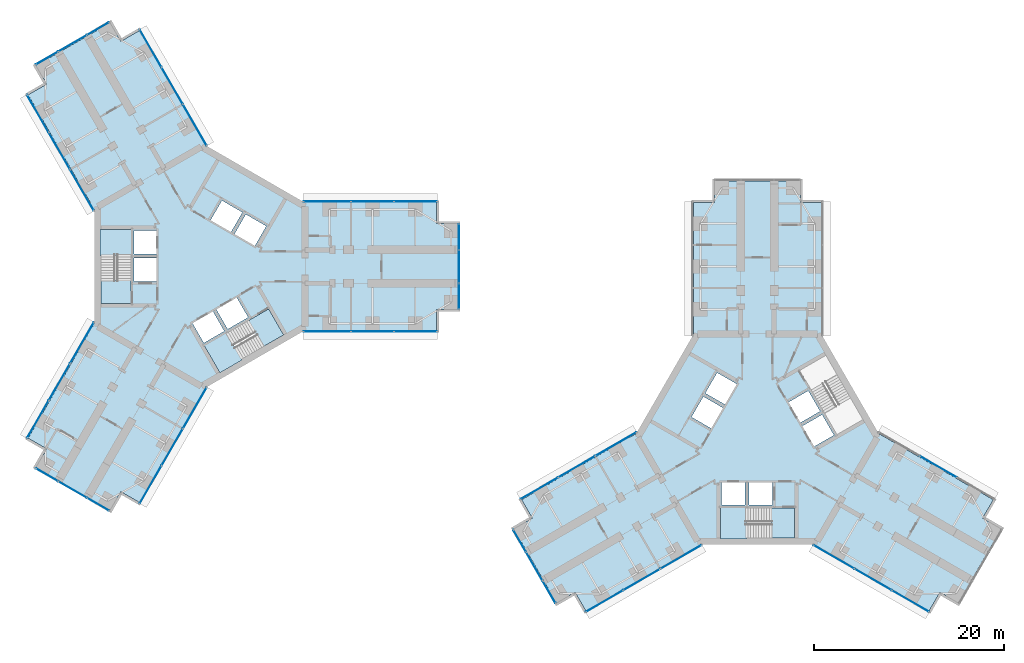
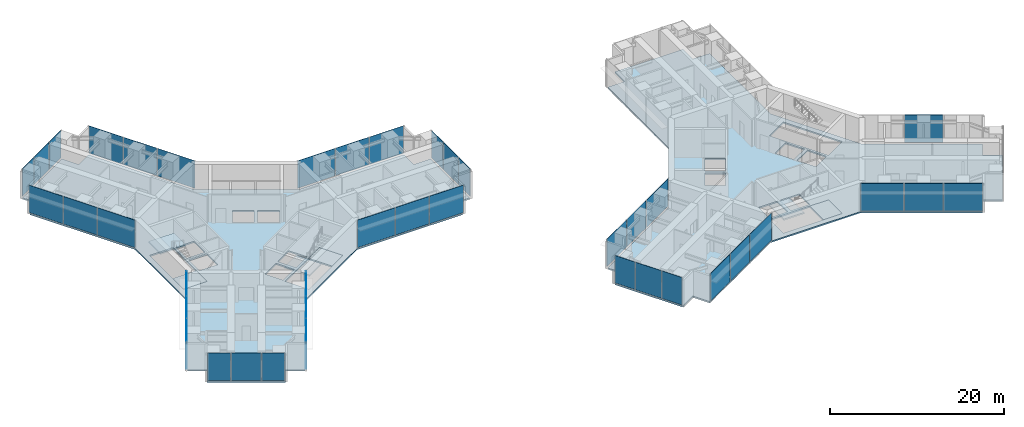
# One storey, part 14 of 23: 40 plates, 8 slabs, 17 elements without a shape of their own.
"""IFC4 building model written with IfcOpenShell, lengths in metres."""

from ifc_helpers import new_model, si_unit, direction, frame, origin, origin_2d, place, context, subcontext, project, spatial, polyline, rectangle, outline, extrude, material, layer, layer_set, type_object, element, aggregate, save


model = new_model("IFC4")

# Units and contexts
model_context = context("Model", 3, precision=1e-05, world=origin(), true_north=direction((0.0, 1.0)))
body_context = subcontext(model_context, "Body", "Model", "MODEL_VIEW")
ifc_project = project(units=[si_unit("LENGTHUNIT", "METRE"), si_unit("AREAUNIT", "SQUARE_METRE"), si_unit("VOLUMEUNIT", "CUBIC_METRE"), si_unit("PLANEANGLEUNIT", "RADIAN"), si_unit("MASSUNIT", "GRAM", prefix="KILO")], contexts=[model_context])

# Site, building, storey
site_placement = place(None, origin())
site = spatial("IfcSite", under=ifc_project, at=site_placement, CompositionType="ELEMENT")
building_placement = place(site_placement, origin())
building = spatial("IfcBuilding", under=site, at=building_placement, Name="Upepo Twin Towers", CompositionType="ELEMENT")
storey_placement = place(building_placement, frame((0.0, 0.0, 28.5)))
storey = spatial("IfcBuildingStorey", under=building, at=storey_placement, Name="L06", CompositionType="ELEMENT", Elevation=28.5)

# Curtain wall, plates
ifc_material_1 = material(Name="Aluminium and fritted glass", Category="aluminium")
curtain_wall_type = type_object("IfcCurtainWallType", Name="Tower curtain wall TW1, fritted glass", PredefinedType="NOTDEFINED", material=ifc_material_1)
curtain_wall_1_placement = place(storey_placement, origin())
curtain_wall_1 = element("IfcCurtainWall", 1, at=curtain_wall_1_placement, inside=storey, type_object=curtain_wall_type, Name="T1 L06 wing A flank L curtain wall", PredefinedType="NOTDEFINED")
ifc_material_2 = material(Name="Ceramic-fritted laminated glass", Category="glass")
ifc_layer_1 = layer(ifc_material_2, 0.031982421875)
ifc_layer_set_1 = layer_set([ifc_layer_1], Name="Fritted glass panel, 20 per cent dot frit, 32 mm double glazed")
plate_type_1 = type_object("IfcPlateType", Name="Fritted glass panel, 20 per cent dot frit, 32 mm double glazed", PredefinedType="CURTAIN_PANEL", material=ifc_layer_set_1)
plate_1_placement = place(storey_placement, frame((13.23486328125, 6.85009765625, 0.14990234375), z_axis=(0.0, 0.0, 1.0), x_axis=(1.0, 0.0, 0.0)))
plate_1 = element("IfcPlate", 2, at=plate_1_placement, type_object=plate_type_1, Name="T1 L06 wing A flank L curtain wall panel 1", PredefinedType="CURTAIN_PANEL", context=body_context, shape_type="SweptSolid", body=[
    extrude(rectangle(XDim=4.96533203125, YDim=0.031982421875, at=origin_2d()), origin(), (0.0, 0.0, 1.0), 3.85009765625),
])
plate_2_placement = place(storey_placement, frame((18.0, 6.85009765625, 0.14990234375), z_axis=(0.0, 0.0, 1.0), x_axis=(1.0, 0.0, 0.0)))
plate_2 = element("IfcPlate", 3, at=plate_2_placement, type_object=plate_type_1, Name="T1 L06 wing A flank L curtain wall panel 2", PredefinedType="CURTAIN_PANEL", context=body_context, shape_type="SweptSolid", body=[
    extrude(rectangle(XDim=4.43505859375, YDim=0.031982421875, at=origin_2d()), origin(), (0.0, 0.0, 1.0), 3.85009765625),
])
plate_3_placement = place(storey_placement, frame((22.53369140625, 6.85009765625, 0.14990234375), z_axis=(0.0, 0.0, 1.0), x_axis=(1.0, 0.0, 0.0)))
plate_3 = element("IfcPlate", 4, at=plate_3_placement, type_object=plate_type_1, Name="T1 L06 wing A flank L curtain wall panel 3", PredefinedType="CURTAIN_PANEL", context=body_context, shape_type="SweptSolid", body=[
    extrude(rectangle(XDim=4.50244140625, YDim=0.031982421875, at=origin_2d()), origin(), (0.0, 0.0, 1.0), 3.85009765625),
])
aggregate(curtain_wall_1, [plate_1, plate_2, plate_3])

curtain_wall_2_placement = place(storey_placement, origin())
curtain_wall_2 = element("IfcCurtainWall", 5, at=curtain_wall_2_placement, inside=storey, type_object=curtain_wall_type, Name="T1 L06 wing A flank R curtain wall", PredefinedType="NOTDEFINED")
plate_4_placement = place(storey_placement, frame((22.53369140625, -6.85009765625, 0.14990234375), z_axis=(0.0, 0.0, 1.0), x_axis=(-1.0, 0.0, 0.0)))
plate_4 = element("IfcPlate", 6, at=plate_4_placement, type_object=plate_type_1, Name="T1 L06 wing A flank R curtain wall panel 1", PredefinedType="CURTAIN_PANEL", context=body_context, shape_type="SweptSolid", body=[
    extrude(rectangle(XDim=4.50244140625, YDim=0.031982421875, at=origin_2d()), origin(), (0.0, 0.0, 1.0), 3.85009765625),
])
plate_5_placement = place(storey_placement, frame((18.0, -6.85009765625, 0.14990234375), z_axis=(0.0, 0.0, 1.0), x_axis=(-1.0, 0.0, 0.0)))
plate_5 = element("IfcPlate", 7, at=plate_5_placement, type_object=plate_type_1, Name="T1 L06 wing A flank R curtain wall panel 2", PredefinedType="CURTAIN_PANEL", context=body_context, shape_type="SweptSolid", body=[
    extrude(rectangle(XDim=4.43505859375, YDim=0.031982421875, at=origin_2d()), origin(), (0.0, 0.0, 1.0), 3.85009765625),
])
plate_6_placement = place(storey_placement, frame((13.23486328125, -6.85009765625, 0.14990234375), z_axis=(0.0, 0.0, 1.0), x_axis=(-1.0, 0.0, 0.0)))
plate_6 = element("IfcPlate", 8, at=plate_6_placement, type_object=plate_type_1, Name="T1 L06 wing A flank R curtain wall panel 3", PredefinedType="CURTAIN_PANEL", context=body_context, shape_type="SweptSolid", body=[
    extrude(rectangle(XDim=4.96533203125, YDim=0.031982421875, at=origin_2d()), origin(), (0.0, 0.0, 1.0), 3.85009765625),
])
aggregate(curtain_wall_2, [plate_4, plate_5, plate_6])

# Curtain wall, plate
curtain_wall_3_placement = place(storey_placement, origin())
curtain_wall_3 = element("IfcCurtainWall", 9, at=curtain_wall_3_placement, inside=storey, type_object=curtain_wall_type, Name="T1 L06 wing A nose curtain wall", PredefinedType="NOTDEFINED")
plate_7_placement = place(storey_placement, frame((27.10009765625, 0.0, 0.14990234375), z_axis=(0.0, 0.0, 1.0), x_axis=(0.0, 1.0, 0.0)))
plate_7 = element("IfcPlate", 10, at=plate_7_placement, type_object=plate_type_1, Name="T1 L06 wing A nose curtain wall panel 2", PredefinedType="CURTAIN_PANEL", context=body_context, shape_type="SweptSolid", body=[
    extrude(rectangle(XDim=3.43505859375, YDim=0.031982421875, at=origin_2d()), origin(), (0.0, 0.0, 1.0), 3.85009765625),
])

# Curtain wall, plates
curtain_wall_4_placement = place(storey_placement, origin())
curtain_wall_4 = element("IfcCurtainWall", 11, at=curtain_wall_4_placement, inside=storey, type_object=curtain_wall_type, Name="T1 L06 wing B flank L curtain wall", PredefinedType="NOTDEFINED")
plate_8_placement = place(storey_placement, frame((-12.549560546875, 8.03662109375, 0.14990234375), z_axis=(0.0, 0.0, 1.0), x_axis=(-0.500000024426, 0.866025389682, 0.0)))
plate_8 = element("IfcPlate", 12, at=plate_8_placement, type_object=plate_type_1, Name="T1 L06 wing B flank L curtain wall panel 1", PredefinedType="CURTAIN_PANEL", context=body_context, shape_type="SweptSolid", body=[
    extrude(rectangle(XDim=4.96533203125, YDim=0.031982421875, at=origin_2d()), origin(), (0.0, 0.0, 1.0), 3.85009765625),
])
plate_9_placement = place(storey_placement, frame((-14.932373046875, 12.16357421875, 0.14990234375), z_axis=(0.0, 0.0, 1.0), x_axis=(-0.500000024426, 0.866025389682, 0.0)))
plate_9 = element("IfcPlate", 13, at=plate_9_placement, type_object=plate_type_1, Name="T1 L06 wing B flank L curtain wall panel 2", PredefinedType="CURTAIN_PANEL", context=body_context, shape_type="SweptSolid", body=[
    extrude(rectangle(XDim=4.43505859375, YDim=0.031982421875, at=origin_2d()), origin(), (0.0, 0.0, 1.0), 3.85009765625),
])
plate_10_placement = place(storey_placement, frame((-17.19921875, 16.08984375, 0.14990234375), z_axis=(0.0, 0.0, 1.0), x_axis=(-0.500000024426, 0.866025389682, 0.0)))
plate_10 = element("IfcPlate", 14, at=plate_10_placement, type_object=plate_type_1, Name="T1 L06 wing B flank L curtain wall panel 3", PredefinedType="CURTAIN_PANEL", context=body_context, shape_type="SweptSolid", body=[
    extrude(rectangle(XDim=4.50244140625, YDim=0.031982421875, at=origin_2d()), origin(), (0.0, 0.0, 1.0), 3.85009765625),
])
aggregate(curtain_wall_4, [plate_8, plate_9, plate_10])

curtain_wall_5_placement = place(storey_placement, origin())
curtain_wall_5 = element("IfcCurtainWall", 15, at=curtain_wall_5_placement, inside=storey, type_object=curtain_wall_type, Name="T1 L06 wing B flank R curtain wall", PredefinedType="NOTDEFINED")
plate_11_placement = place(storey_placement, frame((-5.334716796875, 22.939697265625, 0.14990234375), z_axis=(0.0, 0.0, 1.0), x_axis=(0.500000024426, -0.866025389682, 0.0)))
plate_11 = element("IfcPlate", 16, at=plate_11_placement, type_object=plate_type_1, Name="T1 L06 wing B flank R curtain wall panel 1", PredefinedType="CURTAIN_PANEL", context=body_context, shape_type="SweptSolid", body=[
    extrude(rectangle(XDim=4.50244140625, YDim=0.031982421875, at=origin_2d()), origin(), (0.0, 0.0, 1.0), 3.85009765625),
])
plate_12_placement = place(storey_placement, frame((-3.067626953125, 19.013427734375, 0.14990234375), z_axis=(0.0, 0.0, 1.0), x_axis=(0.500000024426, -0.866025389682, 0.0)))
plate_12 = element("IfcPlate", 17, at=plate_12_placement, type_object=plate_type_1, Name="T1 L06 wing B flank R curtain wall panel 2", PredefinedType="CURTAIN_PANEL", context=body_context, shape_type="SweptSolid", body=[
    extrude(rectangle(XDim=4.43505859375, YDim=0.031982421875, at=origin_2d()), origin(), (0.0, 0.0, 1.0), 3.85009765625),
])
plate_13_placement = place(storey_placement, frame((-0.68505859375, 14.88671875, 0.14990234375), z_axis=(0.0, 0.0, 1.0), x_axis=(0.500000024426, -0.866025389682, 0.0)))
plate_13 = element("IfcPlate", 18, at=plate_13_placement, type_object=plate_type_1, Name="T1 L06 wing B flank R curtain wall panel 3", PredefinedType="CURTAIN_PANEL", context=body_context, shape_type="SweptSolid", body=[
    extrude(rectangle(XDim=4.96533203125, YDim=0.031982421875, at=origin_2d()), origin(), (0.0, 0.0, 1.0), 3.85009765625),
])
aggregate(curtain_wall_5, [plate_11, plate_12, plate_13])

# Curtain wall, plate
curtain_wall_6_placement = place(storey_placement, origin())
curtain_wall_6 = element("IfcCurtainWall", 19, at=curtain_wall_6_placement, inside=storey, type_object=curtain_wall_type, Name="T1 L06 wing B nose curtain wall", PredefinedType="NOTDEFINED")
plate_14_placement = place(storey_placement, frame((-13.550048828125, 23.46923828125, 0.14990234375), z_axis=(0.0, 0.0, 1.0), x_axis=(-0.866025386174, -0.500000030502, 0.0)))
plate_14 = element("IfcPlate", 20, at=plate_14_placement, type_object=plate_type_1, Name="T1 L06 wing B nose curtain wall panel 2", PredefinedType="CURTAIN_PANEL", context=body_context, shape_type="SweptSolid", body=[
    extrude(rectangle(XDim=3.43505859375, YDim=0.031982421875, at=origin_2d()), origin(), (0.0, 0.0, 1.0), 3.85009765625),
])

# Curtain wall, plates
curtain_wall_7_placement = place(storey_placement, origin())
curtain_wall_7 = element("IfcCurtainWall", 21, at=curtain_wall_7_placement, inside=storey, type_object=curtain_wall_type, Name="T1 L06 wing C flank L curtain wall", PredefinedType="NOTDEFINED")
plate_15_placement = place(storey_placement, frame((-0.68505859375, -14.88671875, 0.14990234375), z_axis=(0.0, 0.0, 1.0), x_axis=(-0.500000024426, -0.866025389682, 0.0)))
plate_15 = element("IfcPlate", 22, at=plate_15_placement, type_object=plate_type_1, Name="T1 L06 wing C flank L curtain wall panel 1", PredefinedType="CURTAIN_PANEL", context=body_context, shape_type="SweptSolid", body=[
    extrude(rectangle(XDim=4.96533203125, YDim=0.031982421875, at=origin_2d()), origin(), (0.0, 0.0, 1.0), 3.85009765625),
])
plate_16_placement = place(storey_placement, frame((-3.067626953125, -19.013427734375, 0.14990234375), z_axis=(0.0, 0.0, 1.0), x_axis=(-0.500000024426, -0.866025389682, 0.0)))
plate_16 = element("IfcPlate", 23, at=plate_16_placement, type_object=plate_type_1, Name="T1 L06 wing C flank L curtain wall panel 2", PredefinedType="CURTAIN_PANEL", context=body_context, shape_type="SweptSolid", body=[
    extrude(rectangle(XDim=4.43505859375, YDim=0.031982421875, at=origin_2d()), origin(), (0.0, 0.0, 1.0), 3.85009765625),
])
plate_17_placement = place(storey_placement, frame((-5.334716796875, -22.939697265625, 0.14990234375), z_axis=(0.0, 0.0, 1.0), x_axis=(-0.500000024426, -0.866025389682, 0.0)))
plate_17 = element("IfcPlate", 24, at=plate_17_placement, type_object=plate_type_1, Name="T1 L06 wing C flank L curtain wall panel 3", PredefinedType="CURTAIN_PANEL", context=body_context, shape_type="SweptSolid", body=[
    extrude(rectangle(XDim=4.50244140625, YDim=0.031982421875, at=origin_2d()), origin(), (0.0, 0.0, 1.0), 3.85009765625),
])
aggregate(curtain_wall_7, [plate_15, plate_16, plate_17])

curtain_wall_8_placement = place(storey_placement, origin())
curtain_wall_8 = element("IfcCurtainWall", 25, at=curtain_wall_8_placement, inside=storey, type_object=curtain_wall_type, Name="T1 L06 wing C flank R curtain wall", PredefinedType="NOTDEFINED")
plate_18_placement = place(storey_placement, frame((-17.19921875, -16.08984375, 0.14990234375), z_axis=(0.0, 0.0, 1.0), x_axis=(0.500000024426, 0.866025389682, 0.0)))
plate_18 = element("IfcPlate", 26, at=plate_18_placement, type_object=plate_type_1, Name="T1 L06 wing C flank R curtain wall panel 1", PredefinedType="CURTAIN_PANEL", context=body_context, shape_type="SweptSolid", body=[
    extrude(rectangle(XDim=4.50244140625, YDim=0.031982421875, at=origin_2d()), origin(), (0.0, 0.0, 1.0), 3.85009765625),
])
plate_19_placement = place(storey_placement, frame((-14.932373046875, -12.16357421875, 0.14990234375), z_axis=(0.0, 0.0, 1.0), x_axis=(0.500000024426, 0.866025389682, 0.0)))
plate_19 = element("IfcPlate", 27, at=plate_19_placement, type_object=plate_type_1, Name="T1 L06 wing C flank R curtain wall panel 2", PredefinedType="CURTAIN_PANEL", context=body_context, shape_type="SweptSolid", body=[
    extrude(rectangle(XDim=4.43505859375, YDim=0.031982421875, at=origin_2d()), origin(), (0.0, 0.0, 1.0), 3.85009765625),
])
plate_20_placement = place(storey_placement, frame((-12.549560546875, -8.03662109375, 0.14990234375), z_axis=(0.0, 0.0, 1.0), x_axis=(0.500000024426, 0.866025389682, 0.0)))
plate_20 = element("IfcPlate", 28, at=plate_20_placement, type_object=plate_type_1, Name="T1 L06 wing C flank R curtain wall panel 3", PredefinedType="CURTAIN_PANEL", context=body_context, shape_type="SweptSolid", body=[
    extrude(rectangle(XDim=4.96533203125, YDim=0.031982421875, at=origin_2d()), origin(), (0.0, 0.0, 1.0), 3.85009765625),
])
aggregate(curtain_wall_8, [plate_18, plate_19, plate_20])

# Curtain wall, plate
curtain_wall_9_placement = place(storey_placement, origin())
curtain_wall_9 = element("IfcCurtainWall", 29, at=curtain_wall_9_placement, inside=storey, type_object=curtain_wall_type, Name="T1 L06 wing C nose curtain wall", PredefinedType="NOTDEFINED")
plate_21_placement = place(storey_placement, frame((-13.550048828125, -23.46923828125, 0.14990234375), z_axis=(0.0, 0.0, 1.0), x_axis=(0.866025386174, -0.500000030502, 0.0)))
plate_21 = element("IfcPlate", 30, at=plate_21_placement, type_object=plate_type_1, Name="T1 L06 wing C nose curtain wall panel 2", PredefinedType="CURTAIN_PANEL", context=body_context, shape_type="SweptSolid", body=[
    extrude(rectangle(XDim=3.43505859375, YDim=0.031982421875, at=origin_2d()), origin(), (0.0, 0.0, 1.0), 3.85009765625),
])

# Curtain wall, plates
curtain_wall_10_placement = place(storey_placement, origin())
curtain_wall_10 = element("IfcCurtainWall", 31, at=curtain_wall_10_placement, inside=storey, type_object=curtain_wall_type, Name="T2 L06 wing B flank L curtain wall", PredefinedType="NOTDEFINED")
plate_22_placement = place(storey_placement, frame((50.46337890625, -30.549560546875, 0.14990234375), z_axis=(0.0, 0.0, 1.0), x_axis=(-0.866025389682, -0.500000024426, 0.0)))
plate_22 = element("IfcPlate", 32, at=plate_22_placement, type_object=plate_type_1, Name="T2 L06 wing B flank L curtain wall panel 1", PredefinedType="CURTAIN_PANEL", context=body_context, shape_type="SweptSolid", body=[
    extrude(rectangle(XDim=4.96533203125, YDim=0.031982421875, at=origin_2d()), origin(), (0.0, 0.0, 1.0), 3.85009765625),
])
plate_23_placement = place(storey_placement, frame((46.33642578125, -32.932373046875, 0.14990234375), z_axis=(0.0, 0.0, 1.0), x_axis=(-0.866025389682, -0.500000024426, 0.0)))
plate_23 = element("IfcPlate", 33, at=plate_23_placement, type_object=plate_type_1, Name="T2 L06 wing B flank L curtain wall panel 2", PredefinedType="CURTAIN_PANEL", context=body_context, shape_type="SweptSolid", body=[
    extrude(rectangle(XDim=4.43505859375, YDim=0.031982421875, at=origin_2d()), origin(), (0.0, 0.0, 1.0), 3.85009765625),
])
plate_24_placement = place(storey_placement, frame((42.41015625, -35.19921875, 0.14990234375), z_axis=(0.0, 0.0, 1.0), x_axis=(-0.866025389682, -0.500000024426, 0.0)))
plate_24 = element("IfcPlate", 34, at=plate_24_placement, type_object=plate_type_1, Name="T2 L06 wing B flank L curtain wall panel 3", PredefinedType="CURTAIN_PANEL", context=body_context, shape_type="SweptSolid", body=[
    extrude(rectangle(XDim=4.50244140625, YDim=0.031982421875, at=origin_2d()), origin(), (0.0, 0.0, 1.0), 3.85009765625),
])
aggregate(curtain_wall_10, [plate_22, plate_23, plate_24])

curtain_wall_11_placement = place(storey_placement, origin())
curtain_wall_11 = element("IfcCurtainWall", 35, at=curtain_wall_11_placement, inside=storey, type_object=curtain_wall_type, Name="T2 L06 wing B flank R curtain wall", PredefinedType="NOTDEFINED")
plate_25_placement = place(storey_placement, frame((35.560302734375, -23.334716796875, 0.14990234375), z_axis=(0.0, 0.0, 1.0), x_axis=(0.866025389682, 0.500000024426, 0.0)))
plate_25 = element("IfcPlate", 36, at=plate_25_placement, type_object=plate_type_1, Name="T2 L06 wing B flank R curtain wall panel 1", PredefinedType="CURTAIN_PANEL", context=body_context, shape_type="SweptSolid", body=[
    extrude(rectangle(XDim=4.50244140625, YDim=0.031982421875, at=origin_2d()), origin(), (0.0, 0.0, 1.0), 3.85009765625),
])
plate_26_placement = place(storey_placement, frame((39.486572265625, -21.067626953125, 0.14990234375), z_axis=(0.0, 0.0, 1.0), x_axis=(0.866025389682, 0.500000024426, 0.0)))
plate_26 = element("IfcPlate", 37, at=plate_26_placement, type_object=plate_type_1, Name="T2 L06 wing B flank R curtain wall panel 2", PredefinedType="CURTAIN_PANEL", context=body_context, shape_type="SweptSolid", body=[
    extrude(rectangle(XDim=4.43505859375, YDim=0.031982421875, at=origin_2d()), origin(), (0.0, 0.0, 1.0), 3.85009765625),
])
plate_27_placement = place(storey_placement, frame((43.61328125, -18.68505859375, 0.14990234375), z_axis=(0.0, 0.0, 1.0), x_axis=(0.866025389682, 0.500000024426, 0.0)))
plate_27 = element("IfcPlate", 38, at=plate_27_placement, type_object=plate_type_1, Name="T2 L06 wing B flank R curtain wall panel 3", PredefinedType="CURTAIN_PANEL", context=body_context, shape_type="SweptSolid", body=[
    extrude(rectangle(XDim=4.96533203125, YDim=0.031982421875, at=origin_2d()), origin(), (0.0, 0.0, 1.0), 3.85009765625),
])
aggregate(curtain_wall_11, [plate_25, plate_26, plate_27])

# Curtain wall, plate
curtain_wall_12_placement = place(storey_placement, origin())
curtain_wall_12 = element("IfcCurtainWall", 39, at=curtain_wall_12_placement, inside=storey, type_object=curtain_wall_type, Name="T2 L06 wing B nose curtain wall", PredefinedType="NOTDEFINED")
plate_28_placement = place(storey_placement, frame((35.03076171875, -31.550048828125, 0.14990234375), z_axis=(0.0, 0.0, 1.0), x_axis=(0.500000030502, -0.866025386174, 0.0)))
plate_28 = element("IfcPlate", 40, at=plate_28_placement, type_object=plate_type_1, Name="T2 L06 wing B nose curtain wall panel 2", PredefinedType="CURTAIN_PANEL", context=body_context, shape_type="SweptSolid", body=[
    extrude(rectangle(XDim=3.43505859375, YDim=0.031982421875, at=origin_2d()), origin(), (0.0, 0.0, 1.0), 3.85009765625),
])

curtain_wall_13_placement = place(storey_placement, origin())
curtain_wall_13 = element("IfcCurtainWall", 41, at=curtain_wall_13_placement, inside=storey, type_object=curtain_wall_type, Name="T2 L06 wing C flank L curtain wall", PredefinedType="NOTDEFINED")
plate_29_placement = place(storey_placement, frame((77.513427734375, -21.067626953125, 0.14990234375), z_axis=(0.0, 0.0, 1.0), x_axis=(0.866025389682, -0.500000024426, 0.0)))
plate_29 = element("IfcPlate", 42, at=plate_29_placement, type_object=plate_type_1, Name="T2 L06 wing C flank L curtain wall panel 2", PredefinedType="CURTAIN_PANEL", context=body_context, shape_type="SweptSolid", body=[
    extrude(rectangle(XDim=4.43505859375, YDim=0.031982421875, at=origin_2d()), origin(), (0.0, 0.0, 1.0), 3.85009765625),
])
aggregate(curtain_wall_13, [plate_29])

# Curtain wall, plates
curtain_wall_14_placement = place(storey_placement, origin())
curtain_wall_14 = element("IfcCurtainWall", 43, at=curtain_wall_14_placement, inside=storey, type_object=curtain_wall_type, Name="T2 L06 wing C flank R curtain wall", PredefinedType="NOTDEFINED")
plate_30_placement = place(storey_placement, frame((74.58984375, -35.19921875, 0.14990234375), z_axis=(0.0, 0.0, 1.0), x_axis=(-0.866025389682, 0.500000024426, 0.0)))
plate_30 = element("IfcPlate", 44, at=plate_30_placement, type_object=plate_type_1, Name="T2 L06 wing C flank R curtain wall panel 1", PredefinedType="CURTAIN_PANEL", context=body_context, shape_type="SweptSolid", body=[
    extrude(rectangle(XDim=4.50244140625, YDim=0.031982421875, at=origin_2d()), origin(), (0.0, 0.0, 1.0), 3.85009765625),
])
plate_31_placement = place(storey_placement, frame((70.66357421875, -32.932373046875, 0.14990234375), z_axis=(0.0, 0.0, 1.0), x_axis=(-0.866025389682, 0.500000024426, 0.0)))
plate_31 = element("IfcPlate", 45, at=plate_31_placement, type_object=plate_type_1, Name="T2 L06 wing C flank R curtain wall panel 2", PredefinedType="CURTAIN_PANEL", context=body_context, shape_type="SweptSolid", body=[
    extrude(rectangle(XDim=4.43505859375, YDim=0.031982421875, at=origin_2d()), origin(), (0.0, 0.0, 1.0), 3.85009765625),
])
plate_32_placement = place(storey_placement, frame((66.53662109375, -30.549560546875, 0.14990234375), z_axis=(0.0, 0.0, 1.0), x_axis=(-0.866025389682, 0.500000024426, 0.0)))
plate_32 = element("IfcPlate", 46, at=plate_32_placement, type_object=plate_type_1, Name="T2 L06 wing C flank R curtain wall panel 3", PredefinedType="CURTAIN_PANEL", context=body_context, shape_type="SweptSolid", body=[
    extrude(rectangle(XDim=4.96533203125, YDim=0.031982421875, at=origin_2d()), origin(), (0.0, 0.0, 1.0), 3.85009765625),
])
aggregate(curtain_wall_14, [plate_30, plate_31, plate_32])

# Plate
ifc_material_3 = material(Name="Clear laminated glass in opening sash", Category="glass")
ifc_layer_2 = layer(ifc_material_3, 0.031982421875)
ifc_layer_set_2 = layer_set([ifc_layer_2], Name="Operable glass panel, 32 mm double glazed")
plate_type_2 = type_object("IfcPlateType", Name="Operable glass panel, 32 mm double glazed", PredefinedType="CURTAIN_PANEL", material=ifc_layer_set_2)
plate_33_placement = place(storey_placement, frame((27.10009765625, -3.108642578125, 0.14990234375), z_axis=(0.0, 0.0, 1.0), x_axis=(0.0, 1.0, 0.0)))
plate_33 = element("IfcPlate", 47, at=plate_33_placement, type_object=plate_type_2, Name="T1 L06 wing A nose curtain wall panel 1", PredefinedType="CURTAIN_PANEL", context=body_context, shape_type="SweptSolid", body=[
    extrude(rectangle(XDim=2.652587890625, YDim=0.031982421875, at=origin_2d()), origin(), (0.0, 0.0, 1.0), 3.85009765625),
])

plate_34_placement = place(storey_placement, frame((27.10009765625, 3.108642578125, 0.14990234375), z_axis=(0.0, 0.0, 1.0), x_axis=(0.0, 1.0, 0.0)))
plate_34 = element("IfcPlate", 48, at=plate_34_placement, type_object=plate_type_2, Name="T1 L06 wing A nose curtain wall panel 3", PredefinedType="CURTAIN_PANEL", context=body_context, shape_type="SweptSolid", body=[
    extrude(rectangle(XDim=2.652587890625, YDim=0.031982421875, at=origin_2d()), origin(), (0.0, 0.0, 1.0), 3.85009765625),
])

aggregate(curtain_wall_3, [plate_33, plate_7, plate_34])

plate_35_placement = place(storey_placement, frame((-10.857666015625, 25.023681640625, 0.14990234375), z_axis=(0.0, 0.0, 1.0), x_axis=(-0.866025386174, -0.500000030502, 0.0)))
plate_35 = element("IfcPlate", 49, at=plate_35_placement, type_object=plate_type_2, Name="T1 L06 wing B nose curtain wall panel 1", PredefinedType="CURTAIN_PANEL", context=body_context, shape_type="SweptSolid", body=[
    extrude(rectangle(XDim=2.652587890625, YDim=0.031982421875, at=origin_2d()), origin(), (0.0, 0.0, 1.0), 3.85009765625),
])

plate_36_placement = place(storey_placement, frame((-16.2421875, 21.914794921875, 0.14990234375), z_axis=(0.0, 0.0, 1.0), x_axis=(-0.866025386174, -0.500000030502, 0.0)))
plate_36 = element("IfcPlate", 50, at=plate_36_placement, type_object=plate_type_2, Name="T1 L06 wing B nose curtain wall panel 3", PredefinedType="CURTAIN_PANEL", context=body_context, shape_type="SweptSolid", body=[
    extrude(rectangle(XDim=2.652587890625, YDim=0.031982421875, at=origin_2d()), origin(), (0.0, 0.0, 1.0), 3.85009765625),
])

aggregate(curtain_wall_6, [plate_35, plate_14, plate_36])

plate_37_placement = place(storey_placement, frame((-16.2421875, -21.914794921875, 0.14990234375), z_axis=(0.0, 0.0, 1.0), x_axis=(0.866025386174, -0.500000030502, 0.0)))
plate_37 = element("IfcPlate", 51, at=plate_37_placement, type_object=plate_type_2, Name="T1 L06 wing C nose curtain wall panel 1", PredefinedType="CURTAIN_PANEL", context=body_context, shape_type="SweptSolid", body=[
    extrude(rectangle(XDim=2.652587890625, YDim=0.031982421875, at=origin_2d()), origin(), (0.0, 0.0, 1.0), 3.85009765625),
])

plate_38_placement = place(storey_placement, frame((-10.857666015625, -25.023681640625, 0.14990234375), z_axis=(0.0, 0.0, 1.0), x_axis=(0.866025386174, -0.500000030502, 0.0)))
plate_38 = element("IfcPlate", 52, at=plate_38_placement, type_object=plate_type_2, Name="T1 L06 wing C nose curtain wall panel 3", PredefinedType="CURTAIN_PANEL", context=body_context, shape_type="SweptSolid", body=[
    extrude(rectangle(XDim=2.652587890625, YDim=0.031982421875, at=origin_2d()), origin(), (0.0, 0.0, 1.0), 3.85009765625),
])

aggregate(curtain_wall_9, [plate_37, plate_21, plate_38])

plate_39_placement = place(storey_placement, frame((33.476318359375, -28.857666015625, 0.14990234375), z_axis=(0.0, 0.0, 1.0), x_axis=(0.500000030502, -0.866025386174, 0.0)))
plate_39 = element("IfcPlate", 53, at=plate_39_placement, type_object=plate_type_2, Name="T2 L06 wing B nose curtain wall panel 1", PredefinedType="CURTAIN_PANEL", context=body_context, shape_type="SweptSolid", body=[
    extrude(rectangle(XDim=2.652587890625, YDim=0.031982421875, at=origin_2d()), origin(), (0.0, 0.0, 1.0), 3.85009765625),
])

plate_40_placement = place(storey_placement, frame((36.585205078125, -34.2421875, 0.14990234375), z_axis=(0.0, 0.0, 1.0), x_axis=(0.500000030502, -0.866025386174, 0.0)))
plate_40 = element("IfcPlate", 54, at=plate_40_placement, type_object=plate_type_2, Name="T2 L06 wing B nose curtain wall panel 3", PredefinedType="CURTAIN_PANEL", context=body_context, shape_type="SweptSolid", body=[
    extrude(rectangle(XDim=2.652587890625, YDim=0.031982421875, at=origin_2d()), origin(), (0.0, 0.0, 1.0), 3.85009765625),
])

aggregate(curtain_wall_12, [plate_39, plate_28, plate_40])

# Stair, slabs
ifc_material_4 = material(Name="Concrete C40/50", Category="concrete")
stair_type = type_object("IfcStairType", Name="Core stair, two flights", PredefinedType="HALF_TURN_STAIR", material=ifc_material_4)
stair_1_placement = place(storey_placement, origin())
stair_1 = element("IfcStair", 55, at=stair_1_placement, inside=storey, type_object=stair_type, Name="T1 stair S1 L06", PredefinedType="HALF_TURN_STAIR")
ifc_material_5 = material(Name="Concrete C40/50", Category="concrete")
ifc_layer_3 = layer(ifc_material_5, 0.199951171875)
ifc_layer_set_3 = layer_set([ifc_layer_3], Name="Concrete C40/50")
slab_type_1 = type_object("IfcSlabType", Name="Stair landing 200 RC", PredefinedType="LANDING", material=ifc_layer_set_3)
slab_1_placement = place(storey_placement, frame((0.0, 0.0, -0.199951171875)))
slab_1 = element("IfcSlab", 56, at=slab_1_placement, type_object=slab_type_1, Name="Stair S1 landing 1", PredefinedType="LANDING", context=body_context, shape_type="SweptSolid", body=[
    extrude(outline(polyline([(-7.39990234375, -1.419921875), (-10.558349609375, -1.419921875), (-10.558349609375, -3.89990234375), (-7.39990234375, -3.89990234375), (-7.39990234375, -1.419921875)])), origin(), (0.0, 0.0, 1.0), 0.199951171875),
])
slab_2_placement = place(storey_placement, frame((0.0, 0.0, 1.800048828125)))
slab_2 = element("IfcSlab", 57, at=slab_2_placement, type_object=slab_type_1, Name="Stair S1 landing 2", PredefinedType="LANDING", context=body_context, shape_type="SweptSolid", body=[
    extrude(outline(polyline([(-7.300048828125, 3.89990234375), (-10.658447265625, 3.89990234375), (-10.658447265625, 1.179931640625), (-7.300048828125, 1.179931640625), (-7.300048828125, 3.89990234375)])), origin(), (0.0, 0.0, 1.0), 0.199951171875),
])
aggregate(stair_1, [slab_1, slab_2])

stair_2_placement = place(storey_placement, origin())
stair_2 = element("IfcStair", 58, at=stair_2_placement, inside=storey, type_object=stair_type, Name="T1 stair S2 L06", PredefinedType="HALF_TURN_STAIR")
slab_3_placement = place(storey_placement, frame((0.0, 0.0, -0.199951171875)))
slab_3 = element("IfcSlab", 59, at=slab_3_placement, type_object=slab_type_1, Name="Stair S2 landing 1", PredefinedType="LANDING", context=body_context, shape_type="SweptSolid", body=[
    extrude(outline(polyline([(4.9296875, -5.698486328125), (6.509033203125, -8.433837890625), (8.65673828125, -7.19384765625), (7.077392578125, -4.45849609375), (4.9296875, -5.698486328125)])), origin(), (0.0, 0.0, 1.0), 0.199951171875),
])
slab_4_placement = place(storey_placement, frame((0.0, 0.0, 1.800048828125)))
slab_4 = element("IfcSlab", 60, at=slab_4_placement, type_object=slab_type_1, Name="Stair S2 landing 2", PredefinedType="LANDING", context=body_context, shape_type="SweptSolid", body=[
    extrude(outline(polyline([(0.2724609375, -8.27197265625), (1.95166015625, -11.180419921875), (4.307373046875, -9.8203125), (2.628173828125, -6.911865234375), (0.2724609375, -8.27197265625)])), origin(), (0.0, 0.0, 1.0), 0.199951171875),
])
aggregate(stair_2, [slab_3, slab_4])

stair_3_placement = place(storey_placement, origin())
stair_3 = element("IfcStair", 61, at=stair_3_placement, inside=storey, type_object=stair_type, Name="T2 stair S1 L06", PredefinedType="HALF_TURN_STAIR")
slab_5_placement = place(storey_placement, frame((0.0, 0.0, -0.199951171875)))
slab_5 = element("IfcSlab", 62, at=slab_5_placement, type_object=slab_type_1, Name="Stair S1 landing 1", PredefinedType="LANDING", context=body_context, shape_type="SweptSolid", body=[
    extrude(outline(polyline([(59.919921875, -25.39990234375), (59.919921875, -28.558349609375), (62.39990234375, -28.558349609375), (62.39990234375, -25.39990234375), (59.919921875, -25.39990234375)])), origin(), (0.0, 0.0, 1.0), 0.199951171875),
])
slab_6_placement = place(storey_placement, frame((0.0, 0.0, 1.800048828125)))
slab_6 = element("IfcSlab", 63, at=slab_6_placement, type_object=slab_type_1, Name="Stair S1 landing 2", PredefinedType="LANDING", context=body_context, shape_type="SweptSolid", body=[
    extrude(outline(polyline([(54.60009765625, -25.300048828125), (54.60009765625, -28.658447265625), (57.320068359375, -28.658447265625), (57.320068359375, -25.300048828125), (54.60009765625, -25.300048828125)])), origin(), (0.0, 0.0, 1.0), 0.199951171875),
])
aggregate(stair_3, [slab_5, slab_6])

# Slabs
ifc_material_6 = material(Name="Concrete C40/50", Category="concrete")
ifc_layer_4 = layer(ifc_material_6, 0.199951171875)
ifc_layer_set_4 = layer_set([ifc_layer_4], Name="Concrete C40/50")
slab_type_2 = type_object("IfcSlabType", Name="Tower floor slab 200 RC", PredefinedType="FLOOR", material=ifc_layer_set_4)
slab_7_placement = place(storey_placement, frame((0.0, 0.0, -0.199951171875)))
element("IfcSlab", 64, at=slab_7_placement, inside=storey, type_object=slab_type_2, Name="T1 L06 floor slab", PredefinedType="FLOOR", context=body_context, shape_type="SweptSolid", body=[
    extrude(outline(polyline([(-8.477783203125, -23.68408203125), (-9.602783203125, -25.632568359375), (-17.397216796875, -21.132568359375), (-16.272216796875, -19.18408203125), (-18.220703125, -18.05908203125), (-11.25830078125, -6.0), (-11.25830078125, 6.0), (-18.220703125, 18.05908203125), (-16.272216796875, 19.18408203125), (-17.397216796875, 21.132568359375), (-9.602783203125, 25.632568359375), (-8.477783203125, 23.68408203125), (-6.529296875, 24.80908203125), (0.43310546875, 12.75), (10.825439453125, 6.75), (24.75, 6.75), (24.75, 4.5), (27.0, 4.5), (27.0, -4.5), (24.75, -4.5), (24.75, -6.75), (10.825439453125, -6.75), (0.43310546875, -12.75), (-6.529296875, -24.80908203125), (-8.477783203125, -23.68408203125)]), holes=[polyline([(5.640869140625, 2.17041015625), (6.8408203125, 4.248779296875), (4.67578125, 5.498779296875), (3.475830078125, 3.42041015625), (5.640869140625, 2.17041015625)]), polyline([(3.12939453125, 3.620361328125), (4.329345703125, 5.69873046875), (2.164306640625, 6.94873046875), (0.96435546875, 4.870361328125), (3.12939453125, 3.620361328125)]), polyline([(-4.699951171875, 3.800048828125), (-7.10009765625, 3.800048828125), (-7.10009765625, 1.300048828125), (-4.699951171875, 1.300048828125), (-4.699951171875, 3.800048828125)]), polyline([(-4.699951171875, 0.89990234375), (-7.10009765625, 0.89990234375), (-7.10009765625, -1.60009765625), (-4.699951171875, -1.60009765625), (-4.699951171875, 0.89990234375)]), polyline([(-7.39990234375, 3.89990234375), (-10.558349609375, 3.89990234375), (-10.558349609375, -3.89990234375), (-7.39990234375, -3.89990234375), (-7.39990234375, 3.89990234375)]), polyline([(-0.94091796875, -5.97021484375), (0.259033203125, -8.048828125), (2.424072265625, -6.798828125), (1.22412109375, -4.72021484375), (-0.94091796875, -5.97021484375)]), polyline([(1.570556640625, -4.520263671875), (2.7705078125, -6.598876953125), (4.935546875, -5.348876953125), (3.735595703125, -3.270263671875), (1.570556640625, -4.520263671875)]), polyline([(0.322509765625, -8.358642578125), (1.901611328125, -11.09375), (8.65673828125, -7.19384765625), (7.077392578125, -4.45849609375), (0.322509765625, -8.358642578125)])]), origin(), (0.0, 0.0, 1.0), 0.199951171875),
])
slab_8_placement = place(storey_placement, frame((0.0, 0.0, -0.199951171875)))
element("IfcSlab", 65, at=slab_8_placement, inside=storey, type_object=slab_type_2, Name="T2 L06 floor slab", PredefinedType="FLOOR", context=body_context, shape_type="SweptSolid", body=[
    extrude(outline(polyline([(82.18408203125, -26.477783203125), (84.132568359375, -27.602783203125), (79.632568359375, -35.397216796875), (77.68408203125, -34.272216796875), (76.55908203125, -36.220703125), (64.5, -29.25830078125), (52.5, -29.25830078125), (40.44091796875, -36.220703125), (39.31591796875, -34.272216796875), (37.367431640625, -35.397216796875), (32.867431640625, -27.602783203125), (34.81591796875, -26.477783203125), (33.69091796875, -24.529296875), (45.75, -17.56689453125), (51.75, -7.174560546875), (51.75, 6.75), (54.0, 6.75), (54.0, 9.0), (63.0, 9.0), (63.0, 6.75), (65.25, 6.75), (65.25, -7.174560546875), (71.25, -17.56689453125), (83.30908203125, -24.529296875), (82.18408203125, -26.477783203125)]), holes=[polyline([(56.32958984375, -12.359130859375), (54.251220703125, -11.1591796875), (53.001220703125, -13.32421875), (55.07958984375, -14.524169921875), (56.32958984375, -12.359130859375)]), polyline([(54.879638671875, -14.87060546875), (52.80126953125, -13.670654296875), (51.55126953125, -15.835693359375), (53.629638671875, -17.03564453125), (54.879638671875, -14.87060546875)]), polyline([(54.699951171875, -22.699951171875), (54.699951171875, -25.10009765625), (57.199951171875, -25.10009765625), (57.199951171875, -22.699951171875), (54.699951171875, -22.699951171875)]), polyline([(57.60009765625, -22.699951171875), (57.60009765625, -25.10009765625), (60.10009765625, -25.10009765625), (60.10009765625, -22.699951171875), (57.60009765625, -22.699951171875)]), polyline([(54.60009765625, -25.39990234375), (54.60009765625, -28.558349609375), (62.39990234375, -28.558349609375), (62.39990234375, -25.39990234375), (54.60009765625, -25.39990234375)]), polyline([(64.47021484375, -18.94091796875), (66.548828125, -17.740966796875), (65.298828125, -15.575927734375), (63.22021484375, -16.77587890625), (64.47021484375, -18.94091796875)]), polyline([(63.020263671875, -16.429443359375), (65.098876953125, -15.2294921875), (63.848876953125, -13.064453125), (61.770263671875, -14.264404296875), (63.020263671875, -16.429443359375)]), polyline([(66.858642578125, -17.677490234375), (69.59375, -16.098388671875), (65.69384765625, -9.34326171875), (62.95849609375, -10.922607421875), (66.858642578125, -17.677490234375)])]), origin(), (0.0, 0.0, 1.0), 0.199951171875),
])

save(model, "model.ifc")
